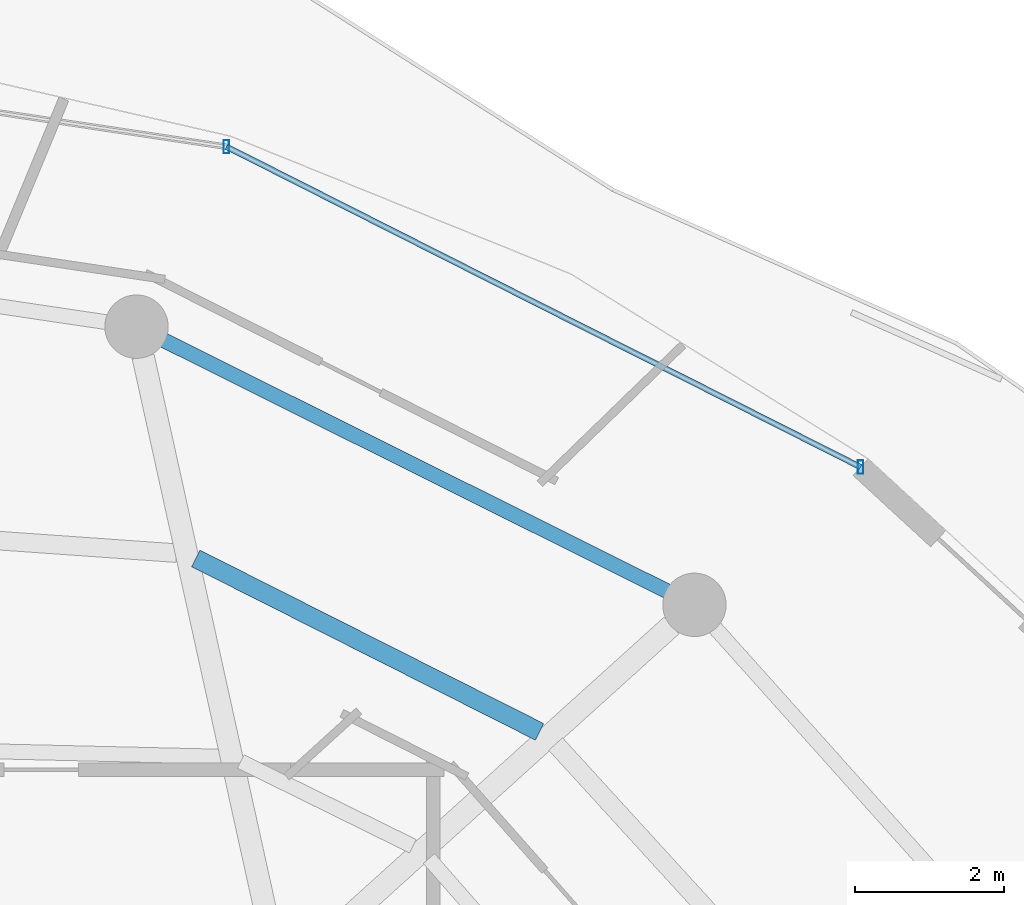
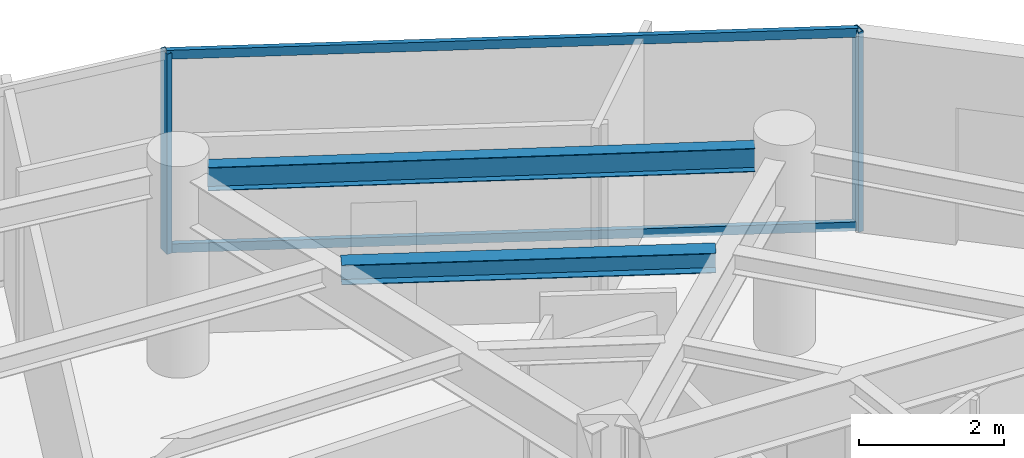
# One storey, part 22 of 32: 4 members, 2 beams, 1 element without a shape of its own.
"""IFC4 building model written with IfcOpenShell, lengths in metres."""

from ifc_helpers import new_model, si_unit, direction, frame, origin, origin_2d, place, context, subcontext, project, spatial, hollow_rectangle, i_section, extrude, material, material_profile, profile_set, type_object, element, aggregate, save


model = new_model("IFC4")

# Units and contexts
model_context = context("Model", 3, precision=1e-05, world=origin(), true_north=direction((0.0, 1.0)))
body_context = subcontext(model_context, "Body", "Model", "MODEL_VIEW")
ifc_project = project(units=[si_unit("LENGTHUNIT", "METRE"), si_unit("AREAUNIT", "SQUARE_METRE"), si_unit("VOLUMEUNIT", "CUBIC_METRE"), si_unit("PLANEANGLEUNIT", "RADIAN"), si_unit("MASSUNIT", "GRAM", prefix="KILO")], contexts=[model_context])

# Site, building, storey
site_placement = place(None, origin())
site = spatial("IfcSite", under=ifc_project, at=site_placement, CompositionType="ELEMENT")
building_placement = place(site_placement, origin())
building = spatial("IfcBuilding", under=site, at=building_placement, Name="Vorneva Point Tower", CompositionType="ELEMENT")
storey_placement = place(building_placement, frame((0.0, 0.0, 269.75)))
storey = spatial("IfcBuildingStorey", under=building, at=storey_placement, Name="L73", CompositionType="ELEMENT", Elevation=269.75)

# Beams
ifc_material_1 = material(Name="Steel S355", Category="steel")
ifc_material_profile_1 = material_profile(ifc_material_1, i_section(OverallWidth=0.2490234375, OverallDepth=0.333984375, WebThickness=0.008056640625, FlangeThickness=0.010986328125, at=origin_2d()), Name="35Sh1")
ifc_profile_set_1 = profile_set([ifc_material_profile_1], Name="Steel S355")
beam_type_1 = type_object("IfcBeamType", Name="BM-SEC-35Sh1", PredefinedType="BEAM", material=ifc_profile_set_1)
beam_1_placement = place(storey_placement, frame((52.222412109375, 36.460205078125, 3.123046875), z_axis=(-0.892860048752, 0.450334246246, 0.0), x_axis=(-0.450334246246, -0.892860048752, 0.0)))
element("IfcBeam", 1, at=beam_1_placement, inside=storey, type_object=beam_type_1, Name="L73 Secondary Floor Beam 1.03", PredefinedType="BEAM", context=body_context, shape_type="SweptSolid", body=[
    extrude(i_section(OverallWidth=0.2490234375, OverallDepth=0.333984375, WebThickness=0.008056640625, FlangeThickness=0.010986328125, at=origin_2d()), origin(), (0.0, 0.0, 1.0), 5.158935546875),
])
ifc_material_profile_2 = material_profile(ifc_material_1, i_section(OverallWidth=0.198974609375, OverallDepth=0.39599609375, WebThickness=0.007080078125, FlangeThickness=0.010986328125, at=origin_2d()), Name="40B1")
ifc_profile_set_2 = profile_set([ifc_material_profile_2], Name="Steel S355")
beam_type_2 = type_object("IfcBeamType", Name="BM-SPN-40B1", PredefinedType="SPANDREL", material=ifc_profile_set_2)
beam_2_placement = place(storey_placement, frame((53.931884765625, 38.34521484375, 3.092041015625), z_axis=(-0.894932011528, 0.446202526599, 0.0), x_axis=(-0.446202526599, -0.894932011528, 0.0)))
element("IfcBeam", 2, at=beam_2_placement, inside=storey, type_object=beam_type_2, Name="L73 Perimeter Spandrel Ring Beam 03", PredefinedType="SPANDREL", context=body_context, shape_type="SweptSolid", body=[
    extrude(i_section(OverallWidth=0.198974609375, OverallDepth=0.39599609375, WebThickness=0.007080078125, FlangeThickness=0.010986328125, at=origin_2d()), origin(), (0.0, 0.0, 1.0), 7.535888671875),
])

# Curtain wall, members
ifc_material_2 = material(Name="Pale anodised aluminium", Category="aluminium")
curtain_wall_type = type_object("IfcCurtainWallType", Name="CW-RES-SYS", PredefinedType="NOTDEFINED", material=ifc_material_2)
curtain_wall_placement = place(storey_placement, origin())
curtain_wall = element("IfcCurtainWall", 3, at=curtain_wall_placement, inside=storey, type_object=curtain_wall_type, Name="L73 Unitised Curtain Wall CW-L73-R02", PredefinedType="NOTDEFINED")
ifc_material_profile_3 = material_profile(ifc_material_2, hollow_rectangle(XDim=0.074951171875, YDim=0.179931640625, WallThickness=0.00390625, at=origin_2d()), Name="AL-MUL 180x75x4")
ifc_profile_set_3 = profile_set([ifc_material_profile_3], Name="Pale anodised aluminium")
member_type_1 = type_object("IfcMemberType", Name="CW-MUL-180", PredefinedType="MULLION", material=ifc_profile_set_3)
member_1_placement = place(storey_placement, frame((56.526123046875, 40.0078125, -0.0400390625), z_axis=(0.0, 0.0, 1.0), x_axis=(1.0, 0.0, 0.0)))
member_1 = element("IfcMember", 4, at=member_1_placement, type_object=member_type_1, Name="CW-L73-R02 Mullion 01", PredefinedType="MULLION", context=body_context, shape_type="SweptSolid", body=[
    extrude(hollow_rectangle(XDim=0.074951171875, YDim=0.179931640625, WallThickness=0.00390625, at=origin_2d()), origin(), (0.0, 0.0, 1.0), 3.360107421875),
])
member_2_placement = place(storey_placement, frame((48.0263671875, 44.302001953125, -0.0400390625), z_axis=(0.0, 0.0, 1.0), x_axis=(1.0, 0.0, 0.0)))
member_2 = element("IfcMember", 5, at=member_2_placement, type_object=member_type_1, Name="CW-L73-R02 Mullion 02", PredefinedType="MULLION", context=body_context, shape_type="SweptSolid", body=[
    extrude(hollow_rectangle(XDim=0.074951171875, YDim=0.179931640625, WallThickness=0.00390625, at=origin_2d()), origin(), (0.0, 0.0, 1.0), 3.360107421875),
])
ifc_material_profile_4 = material_profile(ifc_material_2, hollow_rectangle(XDim=0.074951171875, YDim=0.14990234375, WallThickness=0.00390625, at=origin_2d()), Name="AL-TRN 150x75x4")
ifc_profile_set_4 = profile_set([ifc_material_profile_4], Name="Pale anodised aluminium")
member_type_2 = type_object("IfcMemberType", Name="CW-TRN-150", PredefinedType="USERDEFINED", material=ifc_profile_set_4)
member_3_placement = place(storey_placement, frame((56.526123046875, 40.0078125, 0.02001953125), z_axis=(-0.892558185815, 0.450932239848, 0.0), x_axis=(-0.450932239848, -0.892558185815, 0.0)))
member_3 = element("IfcMember", 6, at=member_3_placement, type_object=member_type_2, Name="CW-L73-R02 Transom 01.1", ObjectType="TRANSOM", PredefinedType="USERDEFINED", context=body_context, shape_type="SweptSolid", body=[
    extrude(hollow_rectangle(XDim=0.074951171875, YDim=0.14990234375, WallThickness=0.00390625, at=origin_2d()), origin(), (0.0, 0.0, 1.0), 9.52294921875),
])
member_4_placement = place(storey_placement, frame((56.526123046875, 40.0078125, 3.27001953125), z_axis=(-0.892558185815, 0.450932239848, 0.0), x_axis=(-0.450932239848, -0.892558185815, 0.0)))
member_4 = element("IfcMember", 7, at=member_4_placement, type_object=member_type_2, Name="CW-L73-R02 Transom 01.2", ObjectType="TRANSOM", PredefinedType="USERDEFINED", context=body_context, shape_type="SweptSolid", body=[
    extrude(hollow_rectangle(XDim=0.074951171875, YDim=0.14990234375, WallThickness=0.00390625, at=origin_2d()), origin(), (0.0, 0.0, 1.0), 9.52294921875),
])
aggregate(curtain_wall, [member_1, member_2, member_3, member_4])

save(model, "model.ifc")
